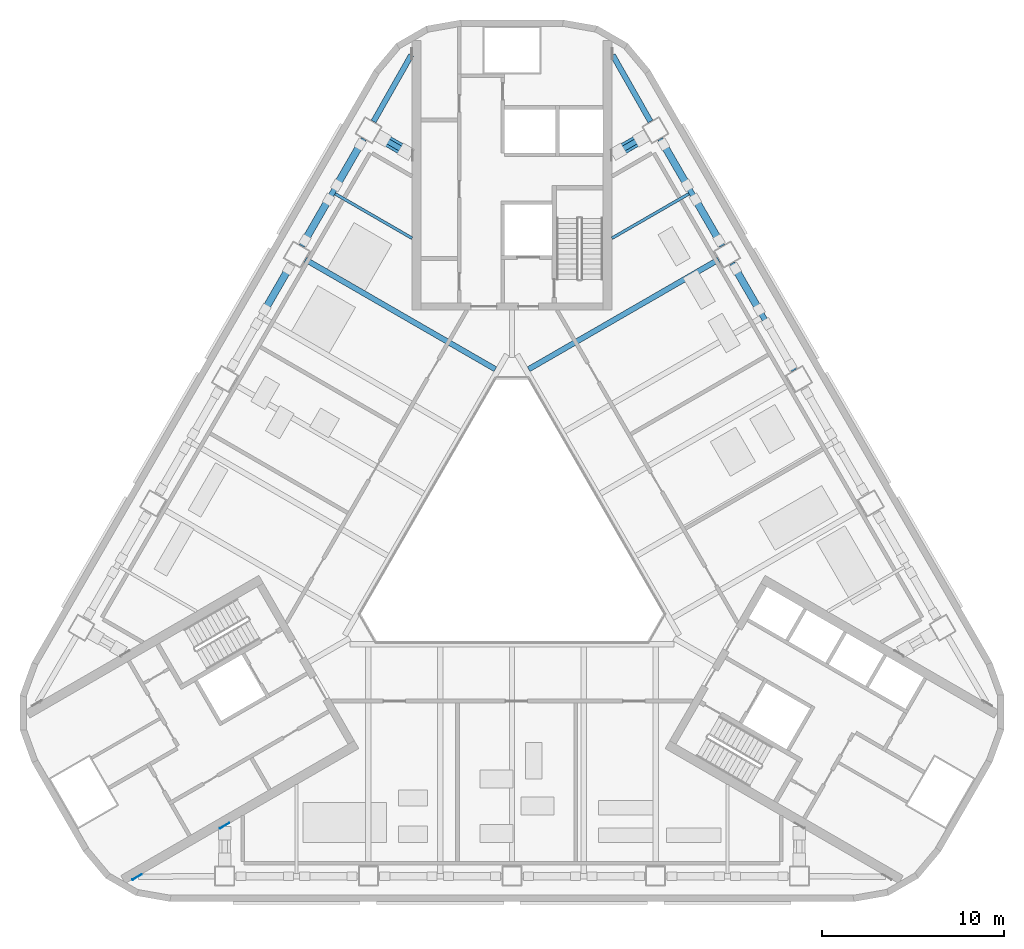
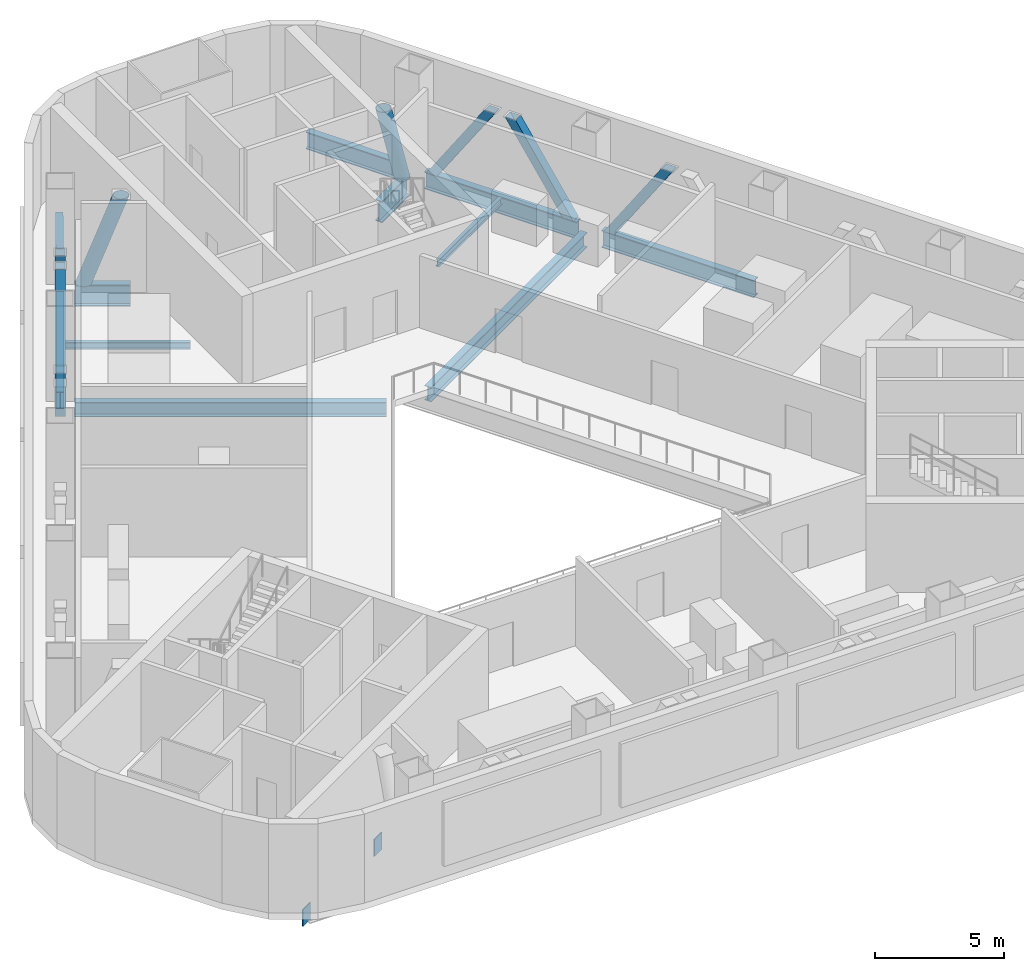
# One storey, part 3 of 15: 15 members, 4 beams, 2 plates.
"""IFC4 building model written with IfcOpenShell, lengths in metres."""

import ifcopenshell
import ifcopenshell.guid

model = None  # the IFC model being written
_history = None  # IfcOwnerHistory: only IFC2X3 demands one
_inside = {}  # id of a spatial element -> (the spatial element, [elements in it])
_under = {}  # id of a project, library or spatial element -> (it, [spatial elements below it])
_declared = {}  # id of a project -> (the project, [libraries it declares])
_typed = {}  # id of a type object -> (the type object, [elements of that type])
_made_of = {}  # id of a material, layer set ... -> (it, [elements and type objects made of it])


def new_model(schema):
    """Start an empty IFC model of exactly this schema.

    Asked for "IFC4X3", IfcOpenShell would pick the latest addendum, in which some entities
    have other attributes; the version numbers below select the first issue.
    IFC2X3 requires an IfcOwnerHistory on every rooted entity: one is made here for all.
    """
    global model, _history
    if schema == "IFC4X3":
        model = ifcopenshell.file(schema_version=(4, 3, 0, 0))
    else:
        model = ifcopenshell.file(schema=schema)
    _inside.clear()
    _under.clear()
    _declared.clear()
    _typed.clear()
    _made_of.clear()
    _history = None
    if model.schema == "IFC2X3":
        org = make("IfcOrganization", Name="unknown")
        user = make(
            "IfcPersonAndOrganization",
            ThePerson=make("IfcPerson", FamilyName="unknown"),
            TheOrganization=org,
        )
        app = make(
            "IfcApplication",
            ApplicationDeveloper=org,
            Version="unknown",
            ApplicationFullName="unknown",
            ApplicationIdentifier="unknown",
        )
        _history = make(
            "IfcOwnerHistory",
            OwningUser=user,
            OwningApplication=app,
            ChangeAction="ADDED",
            CreationDate=0,
        )
    return model


def make(cls, **values):
    """One entity of the class cls with the attributes given. An attribute that is None is left unset."""
    return model.create_entity(
        cls, **{name: value for name, value in values.items() if value is not None}
    )


def rooted(cls, **values):
    """An entity with a GlobalId (a new one), such as an element, a storey or a relation."""
    return make(cls, GlobalId=ifcopenshell.guid.new(), OwnerHistory=_history, **values)


def si_unit(unit_type, name, prefix=None):
    """IfcSIUnit, for example si_unit("LENGTHUNIT", "METRE", prefix="MILLI")."""
    return make("IfcSIUnit", UnitType=unit_type, Prefix=prefix, Name=name)


def assignment(units):
    """IfcUnitAssignment: the units of a project."""
    return None if units is None else make("IfcUnitAssignment", Units=units)


def point(xyz):
    """IfcCartesianPoint."""
    return None if xyz is None else make("IfcCartesianPoint", Coordinates=xyz)


def direction(xyz):
    """IfcDirection."""
    return None if xyz is None else make("IfcDirection", DirectionRatios=xyz)


def frame(location, z_axis=None, x_axis=None):
    """IfcAxis2Placement3D, a coordinate frame: its origin and axes. An axis left out is left unset."""
    return make(
        "IfcAxis2Placement3D",
        Location=point(location),
        Axis=direction(z_axis),
        RefDirection=direction(x_axis),
    )


def frame_2d(location, x_axis=None):
    """IfcAxis2Placement2D, a coordinate frame in the plane: its origin and x axis."""
    return make(
        "IfcAxis2Placement2D", Location=point(location), RefDirection=direction(x_axis)
    )


def origin():
    """The frame at (0, 0, 0) with its axes left unset."""
    return frame((0.0, 0.0, 0.0))


def origin_2d():
    """The frame at (0, 0) in the plane with its x axis left unset."""
    return frame_2d((0.0, 0.0))


def place(relative_to, where):
    """IfcLocalPlacement: puts the frame where relative to a parent placement (None: the world)."""
    return make(
        "IfcLocalPlacement", PlacementRelTo=relative_to, RelativePlacement=where
    )


def context(
    kind, dimensions, precision=None, world=None, true_north=None, identifier=None
):
    """IfcGeometricRepresentationContext, for example the 3D "Model" context."""
    return make(
        "IfcGeometricRepresentationContext",
        ContextIdentifier=identifier,
        ContextType=kind,
        CoordinateSpaceDimension=dimensions,
        Precision=precision,
        WorldCoordinateSystem=world,
        TrueNorth=true_north,
    )


def subcontext(parent, identifier, kind, view, scale=None):
    """IfcGeometricRepresentationSubContext, for example "Body" below "Model"."""
    return make(
        "IfcGeometricRepresentationSubContext",
        ContextIdentifier=identifier,
        ContextType=kind,
        ParentContext=parent,
        TargetScale=scale,
        TargetView=view,
    )


def project(units=None, contexts=None):
    """IfcProject with its units and contexts."""
    return rooted(
        "IfcProject",
        Name="project",
        RepresentationContexts=contexts,
        UnitsInContext=assignment(units),
    )


def spatial(cls, under=None, at=None, **own):
    """A site, building, storey or space (cls), placed at a placement, below another one or the project."""
    s = rooted(cls, ObjectPlacement=at, **own)
    if under is not None:
        _under.setdefault(under.id(), (under, []))[1].append(s)
    return s


def profile(cls, at=None, kind="AREA", **sizes):
    """A parametric profile (cls). Its sizes go by their IFC names, for example OverallWidth=200.0."""
    return make(cls, ProfileType=kind, Position=at, **sizes)


def rectangle(**sizes):
    """IfcRectangleProfileDef."""
    return profile("IfcRectangleProfileDef", **sizes)


def hollow_rectangle(**sizes):
    """IfcRectangleHollowProfileDef."""
    return profile("IfcRectangleHollowProfileDef", **sizes)


def hollow_circle(**sizes):
    """IfcCircleHollowProfileDef."""
    return profile("IfcCircleHollowProfileDef", **sizes)


def i_section(**sizes):
    """IfcIShapeProfileDef."""
    return profile("IfcIShapeProfileDef", **sizes)


def extrude(swept, where, along, depth):
    """IfcExtrudedAreaSolid: the profile swept, set in the frame where, extruded along a direction by depth."""
    return make(
        "IfcExtrudedAreaSolid",
        SweptArea=swept,
        Position=where,
        ExtrudedDirection=direction(along),
        Depth=depth,
    )


def boolean(op, a, b):
    """IfcBooleanResult of two solids."""
    return make("IfcBooleanResult", Operator=op, FirstOperand=a, SecondOperand=b)


def halfspace(plane, agree):
    """IfcHalfSpaceSolid: all space on one side of the plane z = 0 of the frame plane."""
    return make(
        "IfcHalfSpaceSolid",
        BaseSurface=make("IfcPlane", Position=plane),
        AgreementFlag=agree,
    )


def shape(context_of_items, identifier, shape_type, items):
    """IfcShapeRepresentation: the items that make up one representation, for example the "Body"."""
    return make(
        "IfcShapeRepresentation",
        ContextOfItems=context_of_items,
        RepresentationIdentifier=identifier,
        RepresentationType=shape_type,
        Items=items,
    )


def material(Name=None, Category=None):
    """IfcMaterial."""
    return make("IfcMaterial", Name=Name, Category=Category)


def layer(
    of_material, thickness, ventilated=None, Name=None, Category=None, Priority=None
):
    """IfcMaterialLayer: one layer of a wall or slab, of a material (None: an air gap)."""
    return make(
        "IfcMaterialLayer",
        Material=of_material,
        LayerThickness=thickness,
        IsVentilated=ventilated,
        Name=Name,
        Category=Category,
        Priority=Priority,
    )


def layer_set(layers, Name=None):
    """IfcMaterialLayerSet."""
    return make("IfcMaterialLayerSet", MaterialLayers=layers, LayerSetName=Name)


def material_profile(
    of_material, cross_section, Name=None, Category=None, Priority=None
):
    """IfcMaterialProfile: a cross section and its material."""
    return make(
        "IfcMaterialProfile",
        Name=Name,
        Material=of_material,
        Profile=cross_section,
        Priority=Priority,
        Category=Category,
    )


def profile_set(profiles, Name=None, composite=None):
    """IfcMaterialProfileSet."""
    return make(
        "IfcMaterialProfileSet",
        Name=Name,
        MaterialProfiles=profiles,
        CompositeProfile=composite,
    )


def made_of(thing, what):
    """Note that an element or type object is made of a material, layer set ...; save() writes the relation."""
    if what is not None:
        _made_of.setdefault(what.id(), (what, []))[1].append(thing)
    return thing


def type_object(cls, material=None, **own):
    """A type object (cls), such as IfcWallType, which elements share."""
    return made_of(rooted(cls, **own), material)


def element(
    cls,
    number,
    at=None,
    inside=None,
    cuts=None,
    type_object=None,
    material=None,
    context=None,
    identifier="Body",
    shape_type=None,
    held_by="IfcProductDefinitionShape",
    body=None,
    shapes=None,
    **own,
):
    """One element of the class cls, such as IfcWall. Its Tag is "e" and its number.

    at: its placement. inside: the storey or other place that contains it. cuts: it is an
    opening in that element (IfcRelVoidsElement). A single representation is given by context,
    identifier, shape_type and body (its items); several are given by shapes. held_by: the class
    of the entity that holds the representations. save() writes the other relations.
    """
    e = rooted(cls, Tag="e%d" % number, ObjectPlacement=at, **own)
    if body is not None:
        shapes = [shape(context, identifier, shape_type, body)]
    if shapes is not None:
        e.Representation = make(held_by, Representations=shapes)
    if inside is not None:
        _inside.setdefault(inside.id(), (inside, []))[1].append(e)
    if cuts is not None:
        rooted(
            "IfcRelVoidsElement", RelatingBuildingElement=cuts, RelatedOpeningElement=e
        )
    if type_object is not None:
        _typed.setdefault(type_object.id(), (type_object, []))[1].append(e)
    return made_of(e, material)


def aggregate(whole, parts):
    """IfcRelAggregates: a whole, such as a stair, and the parts it consists of."""
    return rooted("IfcRelAggregates", RelatingObject=whole, RelatedObjects=parts)


def save(model, path):
    """Write the relations noted so far, then the file.

    IfcRelAggregates (storeys below a building ...), IfcRelContainedInSpatialStructure (elements
    in a storey), IfcRelDefinesByType, IfcRelAssociatesMaterial and IfcRelDeclares: one each for
    every whole, place, type object, material and project.
    """
    for whole, parts in _under.values():
        aggregate(whole, parts)
    for where, things in _inside.values():
        rooted(
            "IfcRelContainedInSpatialStructure",
            RelatedElements=things,
            RelatingStructure=where,
        )
    for kind, things in _typed.values():
        rooted("IfcRelDefinesByType", RelatedObjects=things, RelatingType=kind)
    for what, things in _made_of.values():
        rooted("IfcRelAssociatesMaterial", RelatedObjects=things, RelatingMaterial=what)
    for by, libraries in _declared.values():
        rooted("IfcRelDeclares", RelatingContext=by, RelatedDefinitions=libraries)
    model.write(path)


model = new_model("IFC4")

# Units and contexts
model_context = context("Model", 3, precision=1e-05, world=origin(), true_north=direction((0.0, 1.0)))
body_context = subcontext(model_context, "Body", "Model", "MODEL_VIEW")
ifc_project = project(units=[si_unit("LENGTHUNIT", "METRE"), si_unit("AREAUNIT", "SQUARE_METRE"), si_unit("VOLUMEUNIT", "CUBIC_METRE"), si_unit("PLANEANGLEUNIT", "RADIAN"), si_unit("MASSUNIT", "GRAM", prefix="KILO")], contexts=[model_context])

# Site, building, storey
site_placement = place(None, origin())
site = spatial("IfcSite", under=ifc_project, at=site_placement, CompositionType="ELEMENT")
building_placement = place(site_placement, origin())
building = spatial("IfcBuilding", under=site, at=building_placement, Name="Apuvela Tower Hotel", CompositionType="ELEMENT")
storey_placement = place(building_placement, frame((0.0, 0.0, 37.5)))
storey = spatial("IfcBuildingStorey", under=building, at=storey_placement, Name="L06 Plant", CompositionType="ELEMENT", Elevation=37.5)

# Beams
ifc_material = material(Name="Steel S355", Category="steel")
ifc_material_profile_1 = material_profile(ifc_material, i_section(OverallWidth=0.300048828125, OverallDepth=0.68994140625, WebThickness=0.014404296875, FlangeThickness=0.027099609375, at=origin_2d()), Name="HE 700 A")
ifc_profile_set_1 = profile_set([ifc_material_profile_1], Name="Steel S355")
beam_type_1 = type_object("IfcBeamType", Name="STR-B floor beam HE 700 A", PredefinedType="BEAM", material=ifc_profile_set_1)
for number, where, z_axis, x_axis, name in (
    (1, (11.361328125, 15.681640625, -0.64501953125), (-0.866025430648, -0.499999953472, 0.0), (0.499999953472, -0.866025430648, 0.0), "Floor beam B6 NE7"),
    (2, (-11.361328125, 15.681640625, -0.64501953125), (0.866025430648, -0.499999953472, 0.0), (0.499999953472, 0.866025430648, 0.0), "Floor beam B6 NW3"),
):
    element("IfcBeam", number, at=place(storey_placement, frame(where, z_axis=z_axis, x_axis=x_axis)), inside=storey, type_object=beam_type_1, Name=name, PredefinedType="BEAM", context=body_context, shape_type="SweptSolid", body=[
        extrude(i_section(OverallWidth=0.300048828125, OverallDepth=0.68994140625, WebThickness=0.014404296875, FlangeThickness=0.027099609375, at=origin_2d()), origin(), (0.0, 0.0, 1.0), 12.05810546875),
    ])
ifc_material_profile_2 = material_profile(ifc_material, i_section(OverallWidth=0.159912109375, OverallDepth=0.330078125, WebThickness=0.007568359375, FlangeThickness=0.011474609375, at=origin_2d()), Name="IPE 330")
ifc_profile_set_2 = profile_set([ifc_material_profile_2], Name="Steel S355")
beam_type_2 = type_object("IfcBeamType", Name="STR-B floor beam IPE 330", PredefinedType="BEAM", material=ifc_profile_set_2)
for number, where, z_axis, x_axis, name in (
    (3, (9.7314453125, 19.3017578125, -0.465087890625), (-0.866017503598, -0.500013683274, 0.0), (0.500013683274, -0.866017503598, 0.0), "Floor beam B1 NE8"),
    (4, (-9.7314453125, 19.3017578125, -0.465087890625), (0.866017503598, -0.500013683274, 0.0), (0.500013683274, 0.866017503598, 0.0), "Floor beam B1 NW2"),
):
    element("IfcBeam", number, at=place(storey_placement, frame(where, z_axis=z_axis, x_axis=x_axis)), inside=storey, type_object=beam_type_2, Name=name, PredefinedType="BEAM", context=body_context, shape_type="SweptSolid", body=[
        extrude(i_section(OverallWidth=0.159912109375, OverallDepth=0.330078125, WebThickness=0.007568359375, FlangeThickness=0.011474609375, at=origin_2d()), origin(), (0.0, 0.0, 1.0), 4.885986328125),
    ])

# Members
ifc_material_profile_3 = material_profile(ifc_material, i_section(OverallWidth=0.302978515625, OverallDepth=0.81396484375, WebThickness=0.02099609375, FlangeThickness=0.0400390625, at=origin_2d()), Name="HE 800 M")
ifc_profile_set_3 = profile_set([ifc_material_profile_3], Name="Steel S355")
member_type_1 = type_object("IfcMemberType", Name="STR-T0 belt truss chord HE 800 M", PredefinedType="CHORD", material=ifc_profile_set_3)
for number, where, z_axis, x_axis, name in (
    (5, (15.5126953125, 9.59130859375, -0.70703125), (-0.500019768644, 0.866013990052, 0.0), (-0.866013990052, -0.500019768644, 0.0), "Belt chord BT1 NE3"),
    (6, (11.5625, 16.432861328125, -0.70703125), (-0.499977295307, 0.866038511948, 0.0), (-0.866038511948, -0.499977295307, 0.0), "Belt chord BT1 NE4"),
    (7, (-8.16259765625, 22.322021484375, -0.70703125), (-0.499977295307, -0.866038511948, 0.0), (0.866038511948, -0.499977295307, 0.0), "Belt chord BT1 NW1"),
):
    element("IfcMember", number, at=place(storey_placement, frame(where, z_axis=z_axis, x_axis=x_axis)), inside=storey, type_object=member_type_1, Name=name, PredefinedType="CHORD", context=body_context, shape_type="SweptSolid", body=[
        extrude(i_section(OverallWidth=0.302978515625, OverallDepth=0.81396484375, WebThickness=0.02099609375, FlangeThickness=0.0400390625, at=origin_2d()), origin(), (0.0, 0.0, 1.0), 6.800048828125),
    ])
for number, where, z_axis, x_axis, name in (
    (8, (7.615966796875, 23.2763671875, -0.70703125), (-0.494041350901, 0.869438407019, 0.0), (-0.869438407019, -0.494041350901, 0.0), "Belt chord BT1 NE5-N"),
    (9, (-7.615966796875, 23.2763671875, -0.70703125), (0.494041350901, 0.869438407019, 0.0), (-0.869438407019, 0.494041350901, 0.0), "Belt chord BT1 NW1-N"),
):
    element("IfcMember", number, at=place(storey_placement, frame(where, z_axis=z_axis, x_axis=x_axis)), inside=storey, type_object=member_type_1, Name=name, PredefinedType="CHORD", context=body_context, shape_type="SweptSolid", body=[
        extrude(i_section(OverallWidth=0.302978515625, OverallDepth=0.81396484375, WebThickness=0.02099609375, FlangeThickness=0.0400390625, at=origin_2d()), origin(), (0.0, 0.0, 1.0), 4.201904296875),
    ])
ifc_material_profile_4 = material_profile(ifc_material, hollow_rectangle(XDim=0.39990234375, YDim=0.39990234375, WallThickness=0.02001953125, at=origin_2d()), Name="SHS 400x400x20")
ifc_profile_set_4 = profile_set([ifc_material_profile_4], Name="Steel S355")
member_type_2 = type_object("IfcMemberType", Name="STR-T0 belt truss diagonal SHS 400x400x20", PredefinedType="BRACE", material=ifc_profile_set_4)
member_1_placement = place(storey_placement, frame((12.28759765625, 15.17724609375, -0.300048828125), z_axis=(0.277351281637, -0.48037762827, 0.832053844911), x_axis=(-0.416032692245, 0.720576435789, 0.554694870328)))
solid_1 = boolean("DIFFERENCE", boolean("DIFFERENCE", extrude(hollow_rectangle(XDim=0.39990234375, YDim=0.39990234375, WallThickness=0.02001953125, at=origin_2d()), frame((0.0, 0.0, -0.25341796875)), (0.0, 0.0, 1.0), 5.194091796875), halfspace(frame((0.0, 0.0, 0.024169921875), z_axis=(0.554694870328, 0.0, 0.832053844911), x_axis=(0.832053844911, 0.0, -0.554694870328)), True)), halfspace(frame((0.0, 0.0, 4.663330078125), z_axis=(0.554694870328, 0.0, 0.832053844911), x_axis=(0.832053844911, 0.0, -0.554694870328)), False))
element("IfcMember", 10, at=member_1_placement, inside=storey, type_object=member_type_2, Name="Belt truss diagonal BR1 NE3", PredefinedType="BRACE", context=body_context, shape_type="SweptSolid", body=[
    boolean("UNION", boolean("DIFFERENCE", boolean("DIFFERENCE", extrude(hollow_rectangle(XDim=0.39990234375, YDim=0.39990234375, WallThickness=0.02001953125, at=origin_2d()), origin(), (0.0, 0.0, 1.0), 4.687255859375), halfspace(frame((0.0, 0.0, 0.024169921875), z_axis=(0.554694870328, 0.0, 0.832053844911), x_axis=(0.832053844911, 0.0, -0.554694870328)), True)), halfspace(frame((0.0, 0.0, 4.663330078125), z_axis=(0.554694870328, 0.0, 0.832053844911), x_axis=(0.832053844911, 0.0, -0.554694870328)), False)), solid_1),
])
member_2_placement = place(storey_placement, frame((11.3876953125, 16.736083984375, -0.300048828125), z_axis=(-0.277351281637, 0.48037762827, 0.832053844911), x_axis=(0.416032692245, -0.720576435789, 0.554694870328)))
solid_2 = boolean("DIFFERENCE", boolean("DIFFERENCE", extrude(hollow_rectangle(XDim=0.39990234375, YDim=0.39990234375, WallThickness=0.02001953125, at=origin_2d()), frame((0.0, 0.0, -0.25341796875)), (0.0, 0.0, 1.0), 5.194091796875), halfspace(frame((0.0, 0.0, 0.024169921875), z_axis=(0.554694870328, 0.0, 0.832053844911), x_axis=(0.832053844911, 0.0, -0.554694870328)), True)), halfspace(frame((0.0, 0.0, 4.663330078125), z_axis=(0.554694870328, 0.0, 0.832053844911), x_axis=(0.832053844911, 0.0, -0.554694870328)), False))
element("IfcMember", 11, at=member_2_placement, inside=storey, type_object=member_type_2, Name="Belt truss diagonal BR1 NE4", PredefinedType="BRACE", context=body_context, shape_type="SweptSolid", body=[
    boolean("UNION", boolean("DIFFERENCE", boolean("DIFFERENCE", extrude(hollow_rectangle(XDim=0.39990234375, YDim=0.39990234375, WallThickness=0.02001953125, at=origin_2d()), origin(), (0.0, 0.0, 1.0), 4.687255859375), halfspace(frame((0.0, 0.0, 0.024169921875), z_axis=(0.554694870328, 0.0, 0.832053844911), x_axis=(0.832053844911, 0.0, -0.554694870328)), True)), halfspace(frame((0.0, 0.0, 4.663330078125), z_axis=(0.554694870328, 0.0, 0.832053844911), x_axis=(0.832053844911, 0.0, -0.554694870328)), False)), solid_2),
])
member_3_placement = place(storey_placement, frame((8.337646484375, 22.018798828125, -0.300048828125), z_axis=(0.277351281637, -0.48037762827, 0.832053844911), x_axis=(-0.416032692245, 0.720576435789, 0.554694870328)))
solid_3 = boolean("DIFFERENCE", boolean("DIFFERENCE", extrude(hollow_rectangle(XDim=0.39990234375, YDim=0.39990234375, WallThickness=0.02001953125, at=origin_2d()), frame((0.0, 0.0, -0.25341796875)), (0.0, 0.0, 1.0), 5.194091796875), halfspace(frame((0.0, 0.0, 0.024169921875), z_axis=(0.554694870328, 0.0, 0.832053844911), x_axis=(0.832053844911, 0.0, -0.554694870328)), True)), halfspace(frame((0.0, 0.0, 4.663330078125), z_axis=(0.554694870328, 0.0, 0.832053844911), x_axis=(0.832053844911, 0.0, -0.554694870328)), False))
element("IfcMember", 12, at=member_3_placement, inside=storey, type_object=member_type_2, Name="Belt truss diagonal BR1 NE4", PredefinedType="BRACE", context=body_context, shape_type="SweptSolid", body=[
    boolean("UNION", boolean("DIFFERENCE", boolean("DIFFERENCE", extrude(hollow_rectangle(XDim=0.39990234375, YDim=0.39990234375, WallThickness=0.02001953125, at=origin_2d()), origin(), (0.0, 0.0, 1.0), 4.687255859375), halfspace(frame((0.0, 0.0, 0.024169921875), z_axis=(0.554694870328, 0.0, 0.832053844911), x_axis=(0.832053844911, 0.0, -0.554694870328)), True)), halfspace(frame((0.0, 0.0, 4.663330078125), z_axis=(0.554694870328, 0.0, 0.832053844911), x_axis=(0.832053844911, 0.0, -0.554694870328)), False)), solid_3),
])
member_4_placement = place(storey_placement, frame((-8.337646484375, 22.018798828125, -0.300048828125), z_axis=(-0.277351281637, -0.48037762827, 0.832053844911), x_axis=(0.416032692245, 0.720576435789, 0.554694870328)))
solid_4 = boolean("DIFFERENCE", boolean("DIFFERENCE", extrude(hollow_rectangle(XDim=0.39990234375, YDim=0.39990234375, WallThickness=0.02001953125, at=origin_2d()), frame((0.0, 0.0, -0.25341796875)), (0.0, 0.0, 1.0), 5.194091796875), halfspace(frame((0.0, 0.0, 0.024169921875), z_axis=(0.554694870328, 0.0, 0.832053844911), x_axis=(0.832053844911, 0.0, -0.554694870328)), True)), halfspace(frame((0.0, 0.0, 4.663330078125), z_axis=(0.554694870328, 0.0, 0.832053844911), x_axis=(0.832053844911, 0.0, -0.554694870328)), False))
element("IfcMember", 13, at=member_4_placement, inside=storey, type_object=member_type_2, Name="Belt truss diagonal BR1 NW1", PredefinedType="BRACE", context=body_context, shape_type="SweptSolid", body=[
    boolean("UNION", boolean("DIFFERENCE", boolean("DIFFERENCE", extrude(hollow_rectangle(XDim=0.39990234375, YDim=0.39990234375, WallThickness=0.02001953125, at=origin_2d()), origin(), (0.0, 0.0, 1.0), 4.687255859375), halfspace(frame((0.0, 0.0, 0.024169921875), z_axis=(0.554694870328, 0.0, 0.832053844911), x_axis=(0.832053844911, 0.0, -0.554694870328)), True)), halfspace(frame((0.0, 0.0, 4.663330078125), z_axis=(0.554694870328, 0.0, 0.832053844911), x_axis=(0.832053844911, 0.0, -0.554694870328)), False)), solid_4),
])
member_5_placement = place(storey_placement, frame((-11.3876953125, 16.736083984375, -0.300048828125), z_axis=(0.277351281637, 0.48037762827, 0.832053844911), x_axis=(-0.416032692245, -0.720576435789, 0.554694870328)))
solid_5 = boolean("DIFFERENCE", boolean("DIFFERENCE", extrude(hollow_rectangle(XDim=0.39990234375, YDim=0.39990234375, WallThickness=0.02001953125, at=origin_2d()), frame((0.0, 0.0, -0.25341796875)), (0.0, 0.0, 1.0), 5.194091796875), halfspace(frame((0.0, 0.0, 0.024169921875), z_axis=(0.554694870328, 0.0, 0.832053844911), x_axis=(0.832053844911, 0.0, -0.554694870328)), True)), halfspace(frame((0.0, 0.0, 4.663330078125), z_axis=(0.554694870328, 0.0, 0.832053844911), x_axis=(0.832053844911, 0.0, -0.554694870328)), False))
element("IfcMember", 14, at=member_5_placement, inside=storey, type_object=member_type_2, Name="Belt truss diagonal BR1 NW1", PredefinedType="BRACE", context=body_context, shape_type="SweptSolid", body=[
    boolean("UNION", boolean("DIFFERENCE", boolean("DIFFERENCE", extrude(hollow_rectangle(XDim=0.39990234375, YDim=0.39990234375, WallThickness=0.02001953125, at=origin_2d()), origin(), (0.0, 0.0, 1.0), 4.687255859375), halfspace(frame((0.0, 0.0, 0.024169921875), z_axis=(0.554694870328, 0.0, 0.832053844911), x_axis=(0.832053844911, 0.0, -0.554694870328)), True)), halfspace(frame((0.0, 0.0, 4.663330078125), z_axis=(0.554694870328, 0.0, 0.832053844911), x_axis=(0.832053844911, 0.0, -0.554694870328)), False)), solid_5),
])
member_6_placement = place(storey_placement, frame((-12.28759765625, 15.17724609375, -0.300048828125), z_axis=(-0.277351281637, -0.48037762827, 0.832053844911), x_axis=(0.416032692245, 0.720576435789, 0.554694870328)))
solid_6 = boolean("DIFFERENCE", boolean("DIFFERENCE", extrude(hollow_rectangle(XDim=0.39990234375, YDim=0.39990234375, WallThickness=0.02001953125, at=origin_2d()), frame((0.0, 0.0, -0.25341796875)), (0.0, 0.0, 1.0), 5.194091796875), halfspace(frame((0.0, 0.0, 0.024169921875), z_axis=(0.554694870328, 0.0, 0.832053844911), x_axis=(0.832053844911, 0.0, -0.554694870328)), True)), halfspace(frame((0.0, 0.0, 4.663330078125), z_axis=(0.554694870328, 0.0, 0.832053844911), x_axis=(0.832053844911, 0.0, -0.554694870328)), False))
element("IfcMember", 15, at=member_6_placement, inside=storey, type_object=member_type_2, Name="Belt truss diagonal BR1 NW2", PredefinedType="BRACE", context=body_context, shape_type="SweptSolid", body=[
    boolean("UNION", boolean("DIFFERENCE", boolean("DIFFERENCE", extrude(hollow_rectangle(XDim=0.39990234375, YDim=0.39990234375, WallThickness=0.02001953125, at=origin_2d()), origin(), (0.0, 0.0, 1.0), 4.687255859375), halfspace(frame((0.0, 0.0, 0.024169921875), z_axis=(0.554694870328, 0.0, 0.832053844911), x_axis=(0.832053844911, 0.0, -0.554694870328)), True)), halfspace(frame((0.0, 0.0, 4.663330078125), z_axis=(0.554694870328, 0.0, 0.832053844911), x_axis=(0.832053844911, 0.0, -0.554694870328)), False)), solid_6),
])
ifc_material_profile_5 = material_profile(ifc_material, i_section(OverallWidth=0.302001953125, OverallDepth=1.008056640625, WebThickness=0.02099609375, FlangeThickness=0.0400390625, at=origin_2d()), Name="HE 1000 M")
ifc_profile_set_5 = profile_set([ifc_material_profile_5], Name="Steel S355")
member_type_3 = type_object("IfcMemberType", Name="STR-T0 outrigger truss chord HE 1000 M", PredefinedType="CHORD", material=ifc_profile_set_5)
for number, where, z_axis, x_axis, name in (
    (16, (7.411376953125, 22.523193359375, -0.803955078125), (-0.866044474677, -0.49996696679, 0.0), (0.49996696679, -0.866044474677, 0.0), "Outrigger chord OC1 NE5"),
    (17, (-7.411376953125, 22.523193359375, -0.803955078125), (0.866044474677, -0.49996696679, 0.0), (0.49996696679, 0.866044474677, 0.0), "Outrigger chord OC1 NW1"),
):
    element("IfcMember", number, at=place(storey_placement, frame(where, z_axis=z_axis, x_axis=x_axis)), inside=storey, type_object=member_type_3, Name=name, PredefinedType="CHORD", context=body_context, shape_type="SweptSolid", body=[
        extrude(i_section(OverallWidth=0.302001953125, OverallDepth=1.008056640625, WebThickness=0.02099609375, FlangeThickness=0.0400390625, at=origin_2d()), origin(), (0.0, 0.0, 1.0), 2.160888671875),
    ])
ifc_material_profile_6 = material_profile(ifc_material, hollow_circle(Radius=0.304931640625, WallThickness=0.02490234375, at=origin_2d()), Name="CHS 610x25")
ifc_profile_set_6 = profile_set([ifc_material_profile_6], Name="Steel S355")
member_type_4 = type_object("IfcMemberType", Name="STR-T0 outrigger truss diagonal CHS 610x25", PredefinedType="BRACE", material=ifc_profile_set_6)
member_7_placement = place(storey_placement, frame((7.108154296875, 22.34814453125, -0.300048828125), z_axis=(-0.28632029481, -0.16526128942, 0.943774016913), x_axis=(0.817388896845, 0.471788921355, 0.330591296015)))
solid_7 = boolean("DIFFERENCE", boolean("DIFFERENCE", extrude(hollow_circle(Radius=0.304931640625, WallThickness=0.02490234375, at=origin_2d()), frame((0.0, 0.0, -0.226806640625)), (0.0, 0.0, 1.0), 4.872314453125), halfspace(frame((0.0, 0.0, 0.021240234375), z_axis=(0.330591296015, 0.0, 0.943774016913), x_axis=(0.943774016913, 0.0, -0.330591296015)), True)), halfspace(frame((0.0, 0.0, 4.397216796875), z_axis=(0.330591296015, 0.0, 0.943774016913), x_axis=(0.943774016913, 0.0, -0.330591296015)), False))
element("IfcMember", 18, at=member_7_placement, inside=storey, type_object=member_type_4, Name="Outrigger diagonal OD1 NE5", PredefinedType="BRACE", context=body_context, shape_type="SweptSolid", body=[
    boolean("UNION", boolean("DIFFERENCE", boolean("DIFFERENCE", extrude(hollow_circle(Radius=0.304931640625, WallThickness=0.02490234375, at=origin_2d()), origin(), (0.0, 0.0, 1.0), 4.418701171875), halfspace(frame((0.0, 0.0, 0.021240234375), z_axis=(0.330591296015, 0.0, 0.943774016913), x_axis=(0.943774016913, 0.0, -0.330591296015)), True)), halfspace(frame((0.0, 0.0, 4.397216796875), z_axis=(0.330591296015, 0.0, 0.943774016913), x_axis=(0.943774016913, 0.0, -0.330591296015)), False)), solid_7),
])
member_8_placement = place(storey_placement, frame((-7.108154296875, 22.34814453125, -0.300048828125), z_axis=(0.28632029481, -0.16526128942, 0.943774016913), x_axis=(-0.817388896845, 0.471788921355, 0.330591296015)))
solid_8 = boolean("DIFFERENCE", boolean("DIFFERENCE", extrude(hollow_circle(Radius=0.304931640625, WallThickness=0.02490234375, at=origin_2d()), frame((0.0, 0.0, -0.226806640625)), (0.0, 0.0, 1.0), 4.872314453125), halfspace(frame((0.0, 0.0, 0.021240234375), z_axis=(0.330591296015, 0.0, 0.943774016913), x_axis=(0.943774016913, 0.0, -0.330591296015)), True)), halfspace(frame((0.0, 0.0, 4.397216796875), z_axis=(0.330591296015, 0.0, 0.943774016913), x_axis=(0.943774016913, 0.0, -0.330591296015)), False))
element("IfcMember", 19, at=member_8_placement, inside=storey, type_object=member_type_4, Name="Outrigger diagonal OD1 NW1", PredefinedType="BRACE", context=body_context, shape_type="SweptSolid", body=[
    boolean("UNION", boolean("DIFFERENCE", boolean("DIFFERENCE", extrude(hollow_circle(Radius=0.304931640625, WallThickness=0.02490234375, at=origin_2d()), origin(), (0.0, 0.0, 1.0), 4.418701171875), halfspace(frame((0.0, 0.0, 0.021240234375), z_axis=(0.330591296015, 0.0, 0.943774016913), x_axis=(0.943774016913, 0.0, -0.330591296015)), True)), halfspace(frame((0.0, 0.0, 4.397216796875), z_axis=(0.330591296015, 0.0, 0.943774016913), x_axis=(0.943774016913, 0.0, -0.330591296015)), False)), solid_8),
])

# Plates
ifc_layer = layer(ifc_material, 0.0400390625)
ifc_layer_set = layer_set([ifc_layer], Name="STR-CP 40 Steel S355")
plate_type = type_object("IfcPlateType", Name="STR-CP 40 Steel S355", PredefinedType="SHEET", material=ifc_layer_set)
for number, where, z_axis, x_axis, name in (
    (20, (-20.622802734375, -18.280517578125, -1.10693359375), (0.0, 0.0, 1.0), (0.5, -0.866025403784, 0.0), "Cast-in plate CP-T0-1 40"),
    (21, (-15.81005859375, -15.455810546875, -1.2041015625), (0.0, 0.0, 1.0), (-0.5, 0.866025403784, 0.0), "Cast-in plate CP-T0-11 40"),
):
    element("IfcPlate", number, at=place(storey_placement, frame(where, z_axis=z_axis, x_axis=x_axis)), inside=storey, type_object=plate_type, Name=name, PredefinedType="SHEET", context=body_context, shape_type="SweptSolid", body=[
        extrude(rectangle(XDim=0.0400390625, YDim=0.60009765625, at=origin_2d()), origin(), (0.0, 0.0, 1.0), 0.800048828125),
    ])

save(model, "model.ifc")
